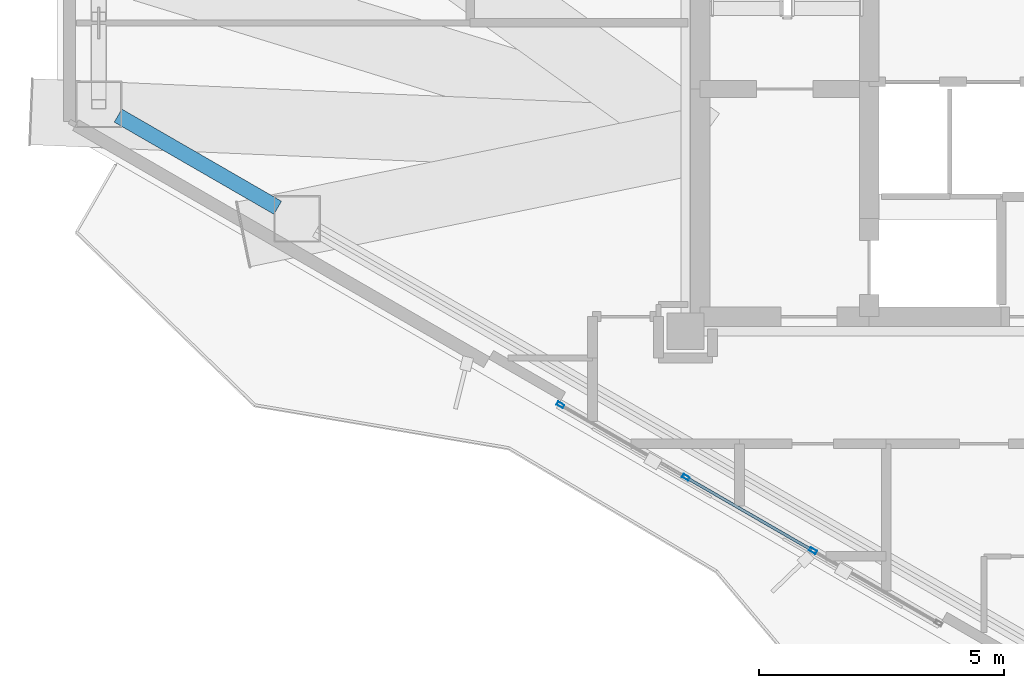
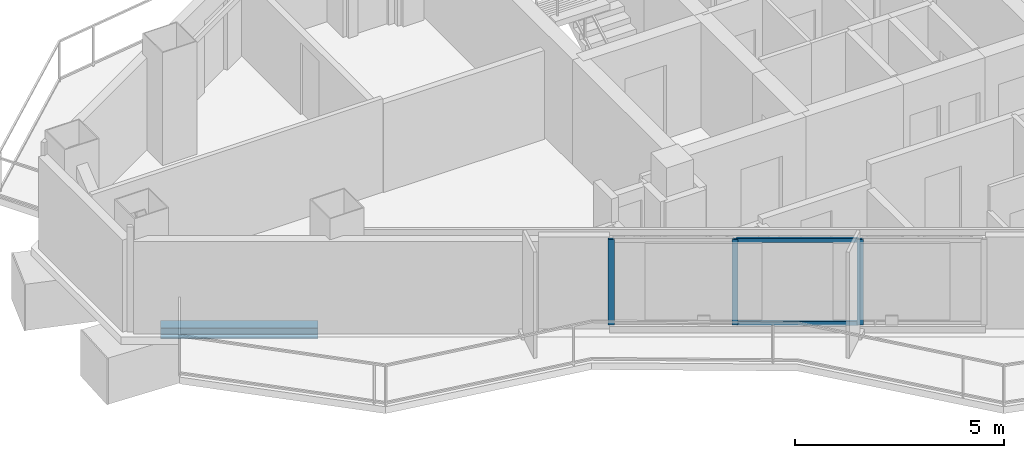
# One storey, part 2 of 19: 5 members, 1 beam, 1 element without a shape of its own.
"""IFC4 building model written with IfcOpenShell, lengths in metres."""

from ifc_helpers import new_model, si_unit, direction, frame, origin, origin_2d, place, context, subcontext, project, spatial, hollow_rectangle, i_section, extrude, material, layer, layer_set, material_profile, profile_set, type_object, element, aggregate, save


model = new_model("IFC4")

# Units and contexts
model_context = context("Model", 3, precision=1e-05, world=origin(), true_north=direction((0.0, 1.0)))
body_context = subcontext(model_context, "Body", "Model", "MODEL_VIEW")
ifc_project = project(units=[si_unit("LENGTHUNIT", "METRE"), si_unit("AREAUNIT", "SQUARE_METRE"), si_unit("VOLUMEUNIT", "CUBIC_METRE"), si_unit("PLANEANGLEUNIT", "RADIAN"), si_unit("MASSUNIT", "GRAM", prefix="KILO")], contexts=[model_context])

# Site, building, storey
site_placement = place(None, origin())
site = spatial("IfcSite", under=ifc_project, at=site_placement, CompositionType="ELEMENT")
building_placement = place(site_placement, origin())
building = spatial("IfcBuilding", under=site, at=building_placement, Name="Mersakhor Tower and Convention Hall", CompositionType="ELEMENT")
storey_placement = place(building_placement, frame((0.0, 0.0, 175.5)))
storey = spatial("IfcBuildingStorey", under=building, at=storey_placement, Name="L48", CompositionType="ELEMENT", Elevation=175.5)

# Beam
ifc_material_1 = material(Name="Steel S355", Category="steel")
ifc_material_profile_1 = material_profile(ifc_material_1, i_section(OverallWidth=0.30908203125, OverallDepth=0.320556640625, WebThickness=0.013916015625, FlangeThickness=0.021728515625, at=origin_2d()), Name="UC 305x305x137")
ifc_profile_set_1 = profile_set([ifc_material_profile_1], Name="Steel S355")
beam_type = type_object("IfcBeamType", Name="BM-SPD-UC305", PredefinedType="SPANDREL", material=ifc_profile_set_1)
beam_placement = place(storey_placement, frame((13.56591796875, 22.97265625, -0.39013671875), z_axis=(-0.866046450459, 0.499963544319, 0.0), x_axis=(-0.499963544319, -0.866046450459, 0.0)))
element("IfcBeam", 1, at=beam_placement, inside=storey, type_object=beam_type, Name="L48 Perimeter Spandrel Beam SPB-11", PredefinedType="SPANDREL", context=body_context, shape_type="SweptSolid", body=[
    extrude(i_section(OverallWidth=0.30908203125, OverallDepth=0.320556640625, WebThickness=0.013916015625, FlangeThickness=0.021728515625, at=origin_2d()), origin(), (0.0, 0.0, 1.0), 3.769287109375),
])

# Curtain wall, members
ifc_material_2 = material(Name="Dark solar low-E aluminium curtain wall", Category="aluminium")
ifc_layer = layer(ifc_material_2, 0.169921875)
ifc_layer_set = layer_set([ifc_layer], Name="Dark solar low-E aluminium curtain wall")
curtain_wall_type = type_object("IfcCurtainWallType", Name="CW-SYS-02", PredefinedType="USERDEFINED", material=ifc_layer_set)
curtain_wall_placement = place(storey_placement, origin())
curtain_wall = element("IfcCurtainWall", 2, at=curtain_wall_placement, inside=storey, type_object=curtain_wall_type, Name="L48 Dark-Glass Curtain Wall F3-B2", ObjectType="CURTAIN WALL", PredefinedType="USERDEFINED")
ifc_material_3 = material(Name="Anodised aluminium EN AW-6063 T6", Category="aluminium")
ifc_material_profile_2 = material_profile(ifc_material_3, hollow_rectangle(XDim=0.074951171875, YDim=0.14990234375, WallThickness=0.00634765625, at=origin_2d()), Name="RHS 150x75x6.3")
ifc_profile_set_2 = profile_set([ifc_material_profile_2], Name="Anodised aluminium EN AW-6063 T6")
member_type_1 = type_object("IfcMemberType", Name="CWM-150x75", PredefinedType="MULLION", material=ifc_profile_set_2)
member_1_placement = place(storey_placement, frame((24.504638671875, 15.964111328125, 0.199951171875), z_axis=(0.0, 0.0, 1.0), x_axis=(-0.500007824483, -0.86602088627, 0.0)))
member_1 = element("IfcMember", 3, at=member_1_placement, type_object=member_type_1, Name="CW-02 mullion 2", PredefinedType="MULLION", context=body_context, shape_type="SweptSolid", body=[
    extrude(hollow_rectangle(XDim=0.074951171875, YDim=0.14990234375, WallThickness=0.00634765625, at=origin_2d()), origin(), (0.0, 0.0, 1.0), 2.489990234375),
])
member_2_placement = place(storey_placement, frame((21.906982421875, 17.464111328125, 0.199951171875), z_axis=(0.0, 0.0, 1.0), x_axis=(-0.500007824483, -0.86602088627, 0.0)))
member_2 = element("IfcMember", 4, at=member_2_placement, type_object=member_type_1, Name="CW-02 mullion 3", PredefinedType="MULLION", context=body_context, shape_type="SweptSolid", body=[
    extrude(hollow_rectangle(XDim=0.074951171875, YDim=0.14990234375, WallThickness=0.00634765625, at=origin_2d()), origin(), (0.0, 0.0, 1.0), 2.489990234375),
])
member_3_placement = place(storey_placement, frame((19.341796875, 18.945068359375, 0.199951171875), z_axis=(0.0, 0.0, 1.0), x_axis=(-0.500007824483, -0.86602088627, 0.0)))
member_3 = element("IfcMember", 5, at=member_3_placement, type_object=member_type_1, Name="CW-02 mullion 4", PredefinedType="MULLION", context=body_context, shape_type="SweptSolid", body=[
    extrude(hollow_rectangle(XDim=0.074951171875, YDim=0.14990234375, WallThickness=0.00634765625, at=origin_2d()), origin(), (0.0, 0.0, 1.0), 2.489990234375),
])
ifc_material_4 = material(Name="Anodised aluminium EN AW-6063 T6", Category="aluminium")
ifc_material_profile_3 = material_profile(ifc_material_4, hollow_rectangle(XDim=0.06005859375, YDim=0.1201171875, WallThickness=0.0048828125, at=origin_2d()), Name="RHS 120x60x5")
ifc_profile_set_3 = profile_set([ifc_material_profile_3], Name="Anodised aluminium EN AW-6063 T6")
member_type_2 = type_object("IfcMemberType", Name="CWT-120x60", PredefinedType="USERDEFINED", material=ifc_profile_set_3)
member_4_placement = place(storey_placement, frame((24.47216796875, 15.98291015625, 0.22998046875), z_axis=(-0.866004860328, 0.500035580622, 0.0), x_axis=(-0.500035580622, -0.866004860328, 0.0)))
member_4 = element("IfcMember", 6, at=member_4_placement, type_object=member_type_2, Name="CW-02 transom 2.1", ObjectType="TRANSOM", PredefinedType="USERDEFINED", context=body_context, shape_type="SweptSolid", body=[
    extrude(hollow_rectangle(XDim=0.06005859375, YDim=0.1201171875, WallThickness=0.0048828125, at=origin_2d()), origin(), (0.0, 0.0, 1.0), 2.924560546875),
])
member_5_placement = place(storey_placement, frame((24.47216796875, 15.98291015625, 2.659912109375), z_axis=(-0.866004860328, 0.500035580622, 0.0), x_axis=(-0.500035580622, -0.866004860328, 0.0)))
member_5 = element("IfcMember", 7, at=member_5_placement, type_object=member_type_2, Name="CW-02 transom 2.2", ObjectType="TRANSOM", PredefinedType="USERDEFINED", context=body_context, shape_type="SweptSolid", body=[
    extrude(hollow_rectangle(XDim=0.06005859375, YDim=0.1201171875, WallThickness=0.0048828125, at=origin_2d()), origin(), (0.0, 0.0, 1.0), 2.924560546875),
])
aggregate(curtain_wall, [member_1, member_2, member_3, member_4, member_5])

save(model, "model.ifc")
